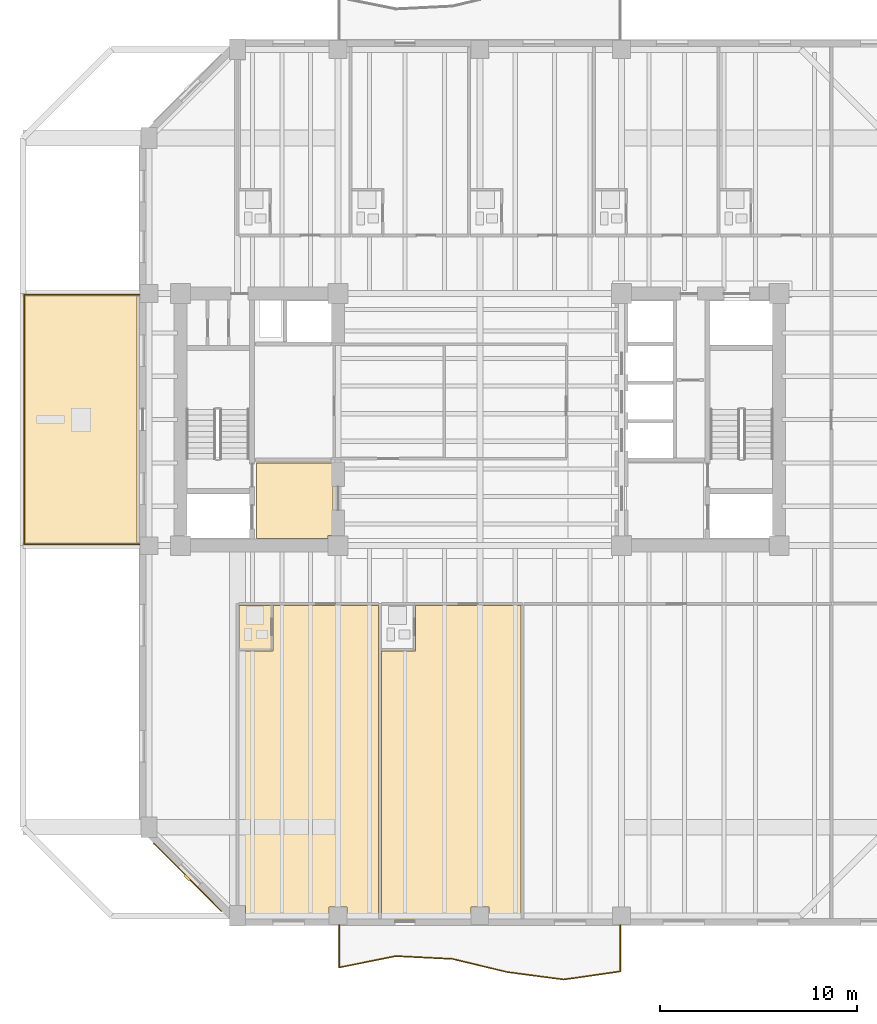
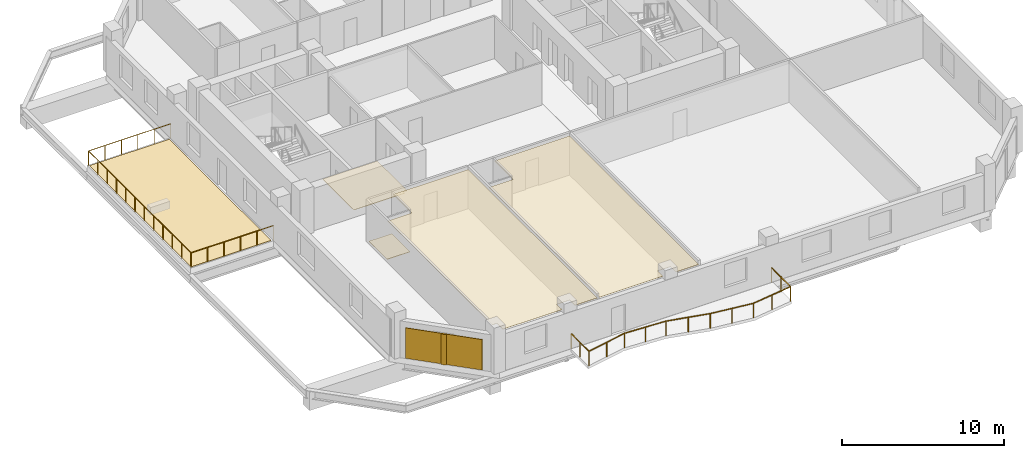
# One storey, part 7 of 11: 6 coverings, 2 railings, 1 shading device.
"""IFC4 building model written with IfcOpenShell, lengths in metres."""

from ifc_helpers import new_model, si_unit, direction, frame, origin, origin_2d, place, context, subcontext, project, spatial, polyline, rectangle, circle, outline, extrude, material, layer, layer_set, type_object, element, save


model = new_model("IFC4")

# Units and contexts
model_context = context("Model", 3, precision=1e-05, world=origin(), true_north=direction((0.0, 1.0)))
body_context = subcontext(model_context, "Body", "Model", "MODEL_VIEW")
ifc_project = project(units=[si_unit("LENGTHUNIT", "METRE"), si_unit("AREAUNIT", "SQUARE_METRE"), si_unit("VOLUMEUNIT", "CUBIC_METRE"), si_unit("PLANEANGLEUNIT", "RADIAN"), si_unit("MASSUNIT", "GRAM", prefix="KILO")], contexts=[model_context])

# Site, building, storey
site_placement = place(None, origin())
site = spatial("IfcSite", under=ifc_project, at=site_placement, CompositionType="ELEMENT")
building_placement = place(site_placement, origin())
building = spatial("IfcBuilding", under=site, at=building_placement, Name="Kranthara Brick Stack", CompositionType="ELEMENT")
storey_placement = place(building_placement, frame((0.0, 0.0, 141.300048828125)))
storey = spatial("IfcBuildingStorey", under=building, at=storey_placement, Name="L35", CompositionType="ELEMENT", Elevation=141.300048828125)

# Coverings
ifc_material_1 = material(Name="Perforated mineral-fibre acoustic ceiling tile", Category="other")
ifc_layer_1 = layer(ifc_material_1, 0.02490234375)
ifc_layer_set_1 = layer_set([ifc_layer_1], Name="Perforated mineral-fibre acoustic ceiling tile")
covering_type_1 = type_object("IfcCoveringType", Name="COV-CEIL-ACOUSTIC", PredefinedType="CEILING", material=ifc_layer_set_1)
covering_1_placement = place(storey_placement, frame((0.0, 0.0, 2.929931640625)))
element("IfcCovering", 1, at=covering_1_placement, inside=storey, type_object=covering_type_1, Name="L35 Room L35-01 Corner Junior Suite Acoustic Ceiling", PredefinedType="CEILING", context=body_context, shape_type="SweptSolid", body=[
    extrude(outline(polyline([(17.49658203125, 15.4599609375), (17.49658203125, 17.77001953125), (22.85595703125, 17.77001953125), (22.85595703125, 1.800048828125), (21.260009765625, 1.800048828125), (21.260009765625, 2.4599609375), (20.340087890625, 2.4599609375), (20.340087890625, 1.800048828125), (16.110107421875, 1.800048828125), (16.110107421875, 2.534912109375), (15.780029296875, 2.534912109375), (15.780029296875, 15.4599609375), (17.49658203125, 15.4599609375)])), origin(), (0.0, 0.0, 1.0), 0.02490234375),
])
covering_2_placement = place(storey_placement, frame((0.0, 0.0, 2.929931640625)))
element("IfcCovering", 2, at=covering_2_placement, inside=storey, type_object=covering_type_1, Name="L35 Room L35-02 Corner Junior Suite Acoustic Ceiling", PredefinedType="CEILING", context=body_context, shape_type="SweptSolid", body=[
    extrude(outline(polyline([(23.01611328125, 1.800048828125), (23.01611328125, 15.4599609375), (24.732666015625, 15.4599609375), (24.732666015625, 17.77001953125), (30.092041015625, 17.77001953125), (30.092041015625, 1.800048828125), (28.4599609375, 1.800048828125), (28.4599609375, 2.4599609375), (27.5400390625, 2.4599609375), (27.5400390625, 1.800048828125), (23.01611328125, 1.800048828125)])), origin(), (0.0, 0.0, 1.0), 0.02490234375),
])
ifc_material_2 = material(Name="Warm buff kiln-fired brick slip rainscreen", Category="masonry")
ifc_layer_2 = layer(ifc_material_2, 0.044921875)
ifc_layer_set_2 = layer_set([ifc_layer_2], Name="Warm buff kiln-fired brick slip rainscreen")
covering_type_2 = type_object("IfcCoveringType", Name="COV-CLAD-BRICK", PredefinedType="CLADDING", material=ifc_layer_set_2)
covering_3_placement = place(storey_placement, frame((13.15966796875, 3.959716796875, 0.0498046875), z_axis=(0.0, 0.0, 1.0), x_axis=(-0.707106781187, 0.707106781187, 0.0)))
element("IfcCovering", 3, at=covering_3_placement, inside=storey, type_object=covering_type_2, Name="L35 Chamfer Brick Rainscreen Cladding SW", PredefinedType="CLADDING", context=body_context, shape_type="SweptSolid", body=[
    extrude(rectangle(XDim=4.89306640625, YDim=0.044921875, at=origin_2d()), origin(), (0.0, 0.0, 1.0), 2.300048828125),
])
ifc_material_3 = material(Name="Honed terrazzo and porcelain floor finish", Category="stone")
ifc_layer_3 = layer(ifc_material_3, 0.030029296875)
ifc_layer_set_3 = layer_set([ifc_layer_3], Name="Honed terrazzo and porcelain floor finish")
covering_type_3 = type_object("IfcCoveringType", Name="COV-FLOR-STONE", PredefinedType="FLOORING", material=ifc_layer_set_3)
covering_4_placement = place(storey_placement, origin())
element("IfcCovering", 4, at=covering_4_placement, inside=storey, type_object=covering_type_3, Name="L35 Lift Lobby Stone Flooring", PredefinedType="FLOORING", context=body_context, shape_type="SweptSolid", body=[
    extrude(outline(polyline([(16.64990234375, 21.14990234375), (16.64990234375, 25.0), (20.550048828125, 25.0), (20.550048828125, 21.31005859375), (20.2900390625, 21.31005859375), (20.2900390625, 21.14990234375), (16.64990234375, 21.14990234375)])), origin(), (0.0, 0.0, 1.0), 0.030029296875),
])
covering_5_placement = place(storey_placement, origin())
element("IfcCovering", 5, at=covering_5_placement, inside=storey, type_object=covering_type_3, Name="L35 Wet Room Porcelain Flooring", PredefinedType="FLOORING", context=body_context, shape_type="SweptSolid", body=[
    extrude(outline(polyline([(15.780029296875, 15.52001953125), (15.780029296875, 17.77001953125), (17.396728515625, 17.77001953125), (17.396728515625, 15.52001953125), (15.780029296875, 15.52001953125)])), origin(), (0.0, 0.0, 1.0), 0.030029296875),
])
ifc_material_4 = material(Name="EPDM waterproofing membrane and rigid insulation", Category="other")
ifc_layer_4 = layer(ifc_material_4, 0.0400390625)
ifc_layer_set_4 = layer_set([ifc_layer_4], Name="EPDM waterproofing membrane and rigid insulation")
covering_type_4 = type_object("IfcCoveringType", Name="COV-ROOF-MEMB", PredefinedType="ROOFING", material=ifc_layer_set_4)
covering_6_placement = place(storey_placement, frame((0.0, 0.0, -0.0400390625)))
element("IfcCovering", 6, at=covering_6_placement, inside=storey, type_object=covering_type_4, Name="L35 Sky Garden Waterproofing Membrane", PredefinedType="ROOFING", context=body_context, shape_type="SweptSolid", body=[
    extrude(outline(polyline([(4.89990234375, 20.89990234375), (10.60009765625, 20.89990234375), (10.60009765625, 33.5), (4.89990234375, 33.5), (4.89990234375, 20.89990234375)])), origin(), (0.0, 0.0, 1.0), 0.0400390625),
])

# Railings
ifc_material_5 = material(Name="Bronze anodised aluminium and laminated glass balustrade", Category="aluminium")
railing_type_1 = type_object("IfcRailingType", Name="RL-BALC-1120", PredefinedType="BALUSTRADE", material=ifc_material_5)
railing_1_placement = place(storey_placement, frame((35.139892578125, 1.56005859375, 0.0)))
element("IfcRailing", 7, at=railing_1_placement, inside=storey, type_object=railing_type_1, Name="L35 South Rippling Balcony Balustrade", PredefinedType="BALUSTRADE", context=body_context, shape_type="SweptSolid", body=[
    extrude(circle(Radius=0.02392578125, at=origin_2d()), frame((0.0, 0.0, 1.09619140625), z_axis=(0.000204981035, -0.999999978991, 0.0), x_axis=(0.999999978991, 0.000204981035, 0.0)), (0.0, 0.0, 1.0), 2.382080078125),
    extrude(circle(Radius=0.02392578125, at=origin_2d()), frame((0.00048828125, -2.382080078125, 1.09619140625), z_axis=(-0.989917562728, -0.141644692818, 0.0), x_axis=(0.141644692818, -0.989917562728, 0.0)), (0.0, 0.0, 1.0), 2.90771484375),
    extrude(circle(Radius=0.02392578125, at=origin_2d()), frame((-2.8779296875, -2.7939453125, 1.09619140625), z_axis=(-0.991512377979, 0.130012323703, 0.0), x_axis=(-0.130012323703, -0.991512377979, 0.0)), (0.0, 0.0, 1.0), 2.8994140625),
    extrude(circle(Radius=0.02392578125, at=origin_2d()), frame((-5.752685546875, -2.4169921875, 1.09619140625), z_axis=(-0.972200139411, 0.234151423078, 0.0), x_axis=(-0.234151423078, -0.972200139411, 0.0)), (0.0, 0.0, 1.0), 2.846435546875),
    extrude(circle(Radius=0.02392578125, at=origin_2d()), frame((-8.52001953125, -1.75048828125, 1.09619140625), z_axis=(-0.998734540111, 0.050292329334, 0.0), x_axis=(-0.050292329334, -0.998734540111, 0.0)), (0.0, 0.0, 1.0), 2.883544921875),
    extrude(circle(Radius=0.02392578125, at=origin_2d()), frame((-11.39990234375, -1.60546875, 1.09619140625), z_axis=(-0.980634989514, -0.195844370204, 0.0), x_axis=(0.195844370204, -0.980634989514, 0.0)), (0.0, 0.0, 1.0), 2.93701171875),
    extrude(circle(Radius=0.02392578125, at=origin_2d()), frame((-14.280029296875, -2.1806640625, 1.09619140625), z_axis=(0.000111957008, 0.999999993733, 0.0), x_axis=(-0.999999993733, 0.000111957008, 0.0)), (0.0, 0.0, 1.0), 2.1806640625),
    extrude(circle(Radius=0.02099609375, at=origin_2d()), origin(), (0.0, 0.0, 1.0), 1.072021484375),
    extrude(circle(Radius=0.02099609375, at=origin_2d()), frame((0.000244140625, -1.19091796875, 0.0)), (0.0, 0.0, 1.0), 1.072021484375),
    extrude(circle(Radius=0.02099609375, at=origin_2d()), frame((0.00048828125, -2.382080078125, 0.0)), (0.0, 0.0, 1.0), 1.072021484375),
    extrude(circle(Radius=0.02099609375, at=origin_2d()), frame((-1.438720703125, -2.587890625, 0.0)), (0.0, 0.0, 1.0), 1.072021484375),
    extrude(circle(Radius=0.02099609375, at=origin_2d()), frame((-2.8779296875, -2.7939453125, 0.0)), (0.0, 0.0, 1.0), 1.072021484375),
    extrude(circle(Radius=0.02099609375, at=origin_2d()), frame((-4.3154296875, -2.60546875, 0.0)), (0.0, 0.0, 1.0), 1.072021484375),
    extrude(circle(Radius=0.02099609375, at=origin_2d()), frame((-5.752685546875, -2.4169921875, 0.0)), (0.0, 0.0, 1.0), 1.072021484375),
    extrude(circle(Radius=0.02099609375, at=origin_2d()), frame((-7.13623046875, -2.083740234375, 0.0)), (0.0, 0.0, 1.0), 1.072021484375),
    extrude(circle(Radius=0.02099609375, at=origin_2d()), frame((-8.52001953125, -1.75048828125, 0.0)), (0.0, 0.0, 1.0), 1.072021484375),
    extrude(circle(Radius=0.02099609375, at=origin_2d()), frame((-9.9599609375, -1.677978515625, 0.0)), (0.0, 0.0, 1.0), 1.072021484375),
    extrude(circle(Radius=0.02099609375, at=origin_2d()), frame((-11.39990234375, -1.60546875, 0.0)), (0.0, 0.0, 1.0), 1.072021484375),
    extrude(circle(Radius=0.02099609375, at=origin_2d()), frame((-12.83984375, -1.89306640625, 0.0)), (0.0, 0.0, 1.0), 1.072021484375),
    extrude(circle(Radius=0.02099609375, at=origin_2d()), frame((-14.280029296875, -2.1806640625, 0.0)), (0.0, 0.0, 1.0), 1.072021484375),
    extrude(circle(Radius=0.02099609375, at=origin_2d()), frame((-14.27978515625, -1.09033203125, 0.0)), (0.0, 0.0, 1.0), 1.072021484375),
    extrude(circle(Radius=0.02099609375, at=origin_2d()), frame((-14.27978515625, 0.0, 0.0)), (0.0, 0.0, 1.0), 1.072021484375),
])
ifc_material_6 = material(Name="Bronze anodised aluminium guardrail", Category="aluminium")
railing_type_2 = type_object("IfcRailingType", Name="RL-TERR-1100", PredefinedType="GUARDRAIL", material=ifc_material_6)
railing_2_placement = place(storey_placement, frame((10.739990234375, 20.860107421875, 0.0)))
element("IfcRailing", 8, at=railing_2_placement, inside=storey, type_object=railing_type_2, Name="L35 Sky Garden Perimeter Guardrail", PredefinedType="GUARDRAIL", context=body_context, shape_type="SweptSolid", body=[
    extrude(circle(Radius=0.02392578125, at=origin_2d()), frame((0.0, 0.0, 1.09619140625), z_axis=(-1.0, 0.0, 0.0), x_axis=(0.0, -1.0, 0.0)), (0.0, 0.0, 1.0), 5.8798828125),
    extrude(circle(Radius=0.02392578125, at=origin_2d()), frame((-5.8798828125, 0.0, 1.09619140625), z_axis=(0.0, 1.0, 0.0), x_axis=(-1.0, 0.0, 0.0)), (0.0, 0.0, 1.0), 12.679931640625),
    extrude(circle(Radius=0.02392578125, at=origin_2d()), frame((-5.8798828125, 12.679931640625, 1.09619140625), z_axis=(1.0, 0.0, 0.0), x_axis=(0.0, 1.0, 0.0)), (0.0, 0.0, 1.0), 5.8798828125),
    extrude(circle(Radius=0.02099609375, at=origin_2d()), origin(), (0.0, 0.0, 1.0), 1.072021484375),
    extrude(circle(Radius=0.02099609375, at=origin_2d()), frame((-1.176025390625, 0.0, 0.0)), (0.0, 0.0, 1.0), 1.072021484375),
    extrude(circle(Radius=0.02099609375, at=origin_2d()), frame((-2.35205078125, 0.0, 0.0)), (0.0, 0.0, 1.0), 1.072021484375),
    extrude(circle(Radius=0.02099609375, at=origin_2d()), frame((-3.52783203125, 0.0, 0.0)), (0.0, 0.0, 1.0), 1.072021484375),
    extrude(circle(Radius=0.02099609375, at=origin_2d()), frame((-4.703857421875, 0.0, 0.0)), (0.0, 0.0, 1.0), 1.072021484375),
    extrude(circle(Radius=0.02099609375, at=origin_2d()), frame((-5.8798828125, 0.0, 0.0)), (0.0, 0.0, 1.0), 1.072021484375),
    extrude(circle(Radius=0.02099609375, at=origin_2d()), frame((-5.8798828125, 1.15283203125, 0.0)), (0.0, 0.0, 1.0), 1.072021484375),
    extrude(circle(Radius=0.02099609375, at=origin_2d()), frame((-5.8798828125, 2.305419921875, 0.0)), (0.0, 0.0, 1.0), 1.072021484375),
    extrude(circle(Radius=0.02099609375, at=origin_2d()), frame((-5.8798828125, 3.458251953125, 0.0)), (0.0, 0.0, 1.0), 1.072021484375),
    extrude(circle(Radius=0.02099609375, at=origin_2d()), frame((-5.8798828125, 4.61083984375, 0.0)), (0.0, 0.0, 1.0), 1.072021484375),
    extrude(circle(Radius=0.02099609375, at=origin_2d()), frame((-5.8798828125, 5.763671875, 0.0)), (0.0, 0.0, 1.0), 1.072021484375),
    extrude(circle(Radius=0.02099609375, at=origin_2d()), frame((-5.8798828125, 6.916259765625, 0.0)), (0.0, 0.0, 1.0), 1.072021484375),
    extrude(circle(Radius=0.02099609375, at=origin_2d()), frame((-5.8798828125, 8.069091796875, 0.0)), (0.0, 0.0, 1.0), 1.072021484375),
    extrude(circle(Radius=0.02099609375, at=origin_2d()), frame((-5.8798828125, 9.2216796875, 0.0)), (0.0, 0.0, 1.0), 1.072021484375),
    extrude(circle(Radius=0.02099609375, at=origin_2d()), frame((-5.8798828125, 10.37451171875, 0.0)), (0.0, 0.0, 1.0), 1.072021484375),
    extrude(circle(Radius=0.02099609375, at=origin_2d()), frame((-5.8798828125, 11.527099609375, 0.0)), (0.0, 0.0, 1.0), 1.072021484375),
    extrude(circle(Radius=0.02099609375, at=origin_2d()), frame((-5.8798828125, 12.679931640625, 0.0)), (0.0, 0.0, 1.0), 1.072021484375),
    extrude(circle(Radius=0.02099609375, at=origin_2d()), frame((-4.703857421875, 12.679931640625, 0.0)), (0.0, 0.0, 1.0), 1.072021484375),
    extrude(circle(Radius=0.02099609375, at=origin_2d()), frame((-3.52783203125, 12.679931640625, 0.0)), (0.0, 0.0, 1.0), 1.072021484375),
    extrude(circle(Radius=0.02099609375, at=origin_2d()), frame((-2.35205078125, 12.679931640625, 0.0)), (0.0, 0.0, 1.0), 1.072021484375),
    extrude(circle(Radius=0.02099609375, at=origin_2d()), frame((-1.176025390625, 12.679931640625, 0.0)), (0.0, 0.0, 1.0), 1.072021484375),
    extrude(circle(Radius=0.02099609375, at=origin_2d()), frame((0.0, 12.679931640625, 0.0)), (0.0, 0.0, 1.0), 1.072021484375),
])

# Shading device
ifc_material_7 = material(Name="Kiln-fired terracotta aerodynamic wind fin", Category="masonry")
shading_device_type = type_object("IfcShadingDeviceType", Name="SHD-BAFFLE-CORNER", PredefinedType="SHUTTER", material=ifc_material_7)
shading_device_placement = place(storey_placement, frame((13.138427734375, 3.9384765625, 0.0498046875), z_axis=(0.0, 0.0, 1.0), x_axis=(-0.707106781187, 0.707106781187, 0.0)))
element("IfcShadingDevice", 9, at=shading_device_placement, inside=storey, type_object=shading_device_type, Name="L35 Chamfer Wind-Baffle Fin SW", PredefinedType="SHUTTER", context=body_context, shape_type="SweptSolid", body=[
    extrude(rectangle(XDim=0.35009765625, YDim=0.1201171875, at=origin_2d()), origin(), (0.0, 0.0, 1.0), 2.300048828125),
])

save(model, "model.ifc")
